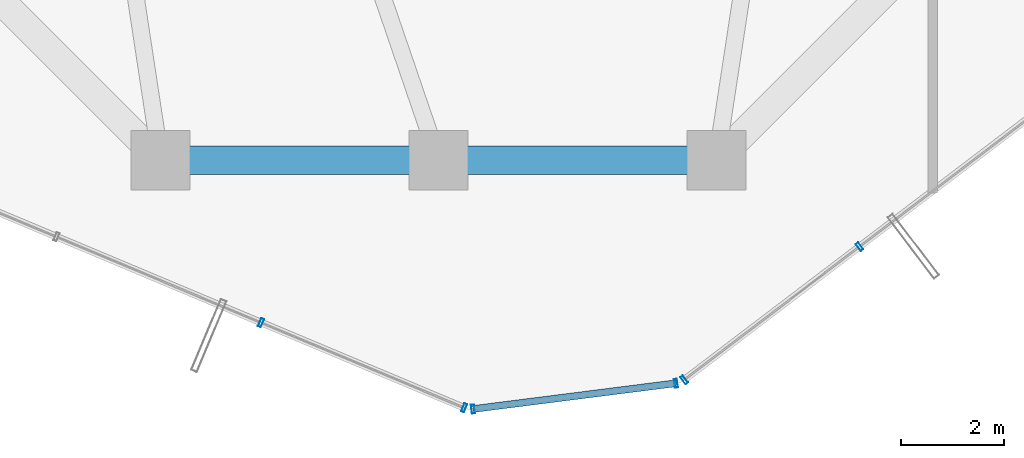
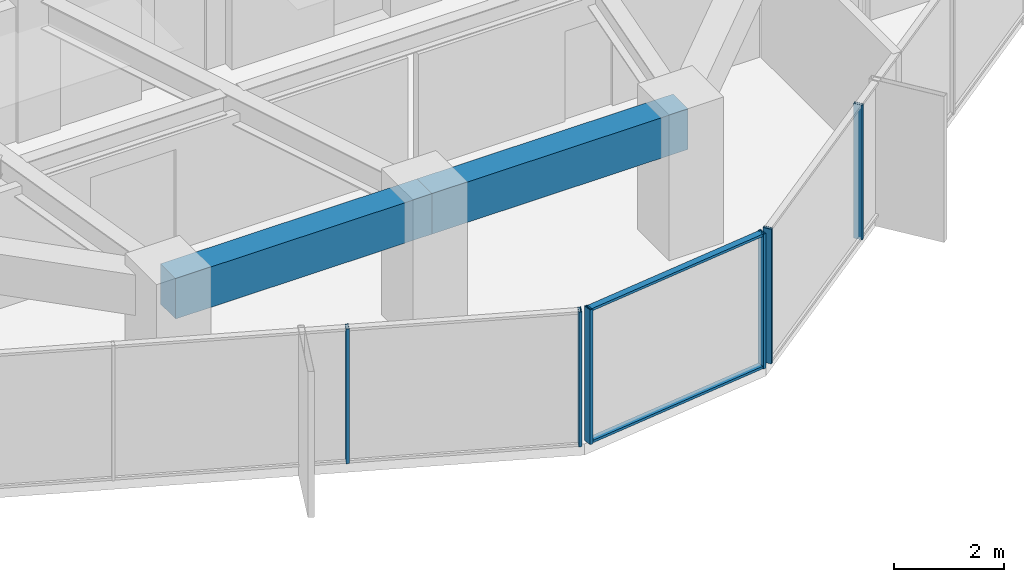
# One storey, part 6 of 33: 8 members, 2 beams, 3 elements without a shape of their own.
"""IFC4 building model written with IfcOpenShell, lengths in metres."""

from ifc_helpers import new_model, si_unit, direction, frame, origin, origin_2d, place, context, subcontext, project, spatial, rectangle, hollow_rectangle, extrude, source, transform, mapped, material, layer, layer_set, material_profile, profile_set, type_object, element, aggregate, save


model = new_model("IFC4")

# Units and contexts
model_context = context("Model", 3, precision=1e-05, world=origin(), true_north=direction((0.0, 1.0)))
body_context = subcontext(model_context, "Body", "Model", "MODEL_VIEW")
ifc_project = project(units=[si_unit("LENGTHUNIT", "METRE"), si_unit("AREAUNIT", "SQUARE_METRE"), si_unit("VOLUMEUNIT", "CUBIC_METRE"), si_unit("PLANEANGLEUNIT", "RADIAN"), si_unit("MASSUNIT", "GRAM", prefix="KILO")], contexts=[model_context])

# Site, building, storey
site_placement = place(None, origin())
site = spatial("IfcSite", under=ifc_project, at=site_placement, CompositionType="ELEMENT")
building_placement = place(site_placement, origin())
building = spatial("IfcBuilding", under=site, at=building_placement, Name="Veraguas Prism Commons", CompositionType="ELEMENT")
storey_placement = place(building_placement, frame((0.0, 0.0, 152.25)))
storey = spatial("IfcBuildingStorey", under=building, at=storey_placement, Name="L43", CompositionType="ELEMENT", Elevation=152.25)

# Beams
ifc_material_1 = material(Name="Concrete C50/60", Category="concrete")
ifc_material_profile_1 = material_profile(ifc_material_1, rectangle(XDim=0.550048828125, YDim=0.89990234375, at=origin_2d()), Name="RC550X900")
ifc_profile_set_1 = profile_set([ifc_material_profile_1], Name="Concrete C50/60")
beam_type = type_object("IfcBeamType", Name="Perimeter Spandrel Lower RC 550x900", PredefinedType="SPANDREL", material=ifc_profile_set_1)
for number, where, z_axis, x_axis, name in (
    (1, (18.60009765625, 7.800048828125, 2.550048828125), (1.0, 0.0, 0.0), (0.0, 1.0, 0.0), "Perimeter Spandrel Beam L43-SP10"),
    (2, (24.0, 7.800048828125, 2.550048828125), (1.0, 0.0, 0.0), (0.0, 1.0, 0.0), "Perimeter Spandrel Beam L43-SP11"),
):
    element("IfcBeam", number, at=place(storey_placement, frame(where, z_axis=z_axis, x_axis=x_axis)), inside=storey, type_object=beam_type, Name=name, PredefinedType="SPANDREL", context=body_context, shape_type="SweptSolid", body=[
        extrude(rectangle(XDim=0.550048828125, YDim=0.89990234375, at=origin_2d()), origin(), (0.0, 0.0, 1.0), 5.39990234375),
    ])

# Curtain wall, members
ifc_material_2 = material(Name="Anodised aluminium EN AW-6063 T6", Category="aluminium")
ifc_layer = layer(ifc_material_2, 0.169921875, Name="Unitised Flush Curtain Wall Zone 2", Category="aluminium")
ifc_layer_set = layer_set([ifc_layer], Name="Anodised aluminium EN AW-6063 T6")
curtain_wall_type = type_object("IfcCurtainWallType", Name="Unitised Flush Curtain Wall Zone 2", PredefinedType="NOTDEFINED", material=ifc_layer_set)
curtain_wall_1_placement = place(storey_placement, origin())
curtain_wall_1 = element("IfcCurtainWall", 3, at=curtain_wall_1_placement, inside=storey, type_object=curtain_wall_type, Name="Tower Facade Curtain Wall L43-F4", PredefinedType="NOTDEFINED")
ifc_material_profile_2 = material_profile(ifc_material_2, hollow_rectangle(XDim=0.06005859375, YDim=0.169921875, WallThickness=0.00390625, at=origin_2d()), Name="AL60X170X4")
ifc_profile_set_2 = profile_set([ifc_material_profile_2], Name="Anodised aluminium EN AW-6063 T6")
member_type_1 = type_object("IfcMemberType", Name="Curtain Wall Mullion Lower AL 60x170x4", PredefinedType="MULLION", material=ifc_profile_set_2)
shared_shape_1 = source(origin(), body_context, "Body", "SweptSolid", [
    extrude(hollow_rectangle(XDim=0.06005859375, YDim=0.169921875, WallThickness=0.00390625, at=origin_2d()), origin(), (0.0, 0.0, 1.0), 3.0),
])
member_1_placement = place(storey_placement, frame((20.552001953125, 4.644287109375, 0.0), z_axis=(0.0, 0.0, 1.0), x_axis=(0.922132113386, -0.38687512903, 0.0)))
member_1 = element("IfcMember", 4, at=member_1_placement, type_object=member_type_1, Name="CW-Z2 Mullion 4", PredefinedType="MULLION", context=body_context, shape_type="MappedRepresentation", body=[
    mapped(shared_shape_1, transform((0.0, 0.0, 0.0), scale=1.0)),
])
member_2_placement = place(storey_placement, frame((24.497314453125, 2.989013671875, 0.0), z_axis=(0.0, 0.0, 1.0), x_axis=(0.922132113386, -0.38687512903, 0.0)))
member_2 = element("IfcMember", 5, at=member_2_placement, type_object=member_type_1, Name="CW-Z2 Mullion 5", PredefinedType="MULLION", context=body_context, shape_type="MappedRepresentation", body=[
    mapped(shared_shape_1, transform((0.0, 0.0, 0.0), scale=1.0)),
])
aggregate(curtain_wall_1, [member_1, member_2])

curtain_wall_2_placement = place(storey_placement, origin())
curtain_wall_2 = element("IfcCurtainWall", 6, at=curtain_wall_2_placement, inside=storey, type_object=curtain_wall_type, Name="Tower Facade Curtain Wall L43-F5", PredefinedType="NOTDEFINED")
member_3_placement = place(storey_placement, frame((28.77197265625, 3.531982421875, 0.0), z_axis=(0.0, 0.0, 1.0), x_axis=(0.796104465545, 0.605159218668, 0.0)))
member_3 = element("IfcMember", 7, at=member_3_placement, type_object=member_type_1, Name="CW-Z2 Mullion 1", PredefinedType="MULLION", context=body_context, shape_type="MappedRepresentation", body=[
    mapped(shared_shape_1, transform((0.0, 0.0, 0.0), scale=1.0)),
])
member_4_placement = place(storey_placement, frame((32.17822265625, 6.121337890625, 0.0), z_axis=(0.0, 0.0, 1.0), x_axis=(0.796104465545, 0.605159218668, 0.0)))
member_4 = element("IfcMember", 8, at=member_4_placement, type_object=member_type_1, Name="CW-Z2 Mullion 2", PredefinedType="MULLION", context=body_context, shape_type="MappedRepresentation", body=[
    mapped(shared_shape_1, transform((0.0, 0.0, 0.0), scale=1.0)),
])
aggregate(curtain_wall_2, [member_3, member_4])

curtain_wall_3_placement = place(storey_placement, origin())
curtain_wall_3 = element("IfcCurtainWall", 9, at=curtain_wall_3_placement, inside=storey, type_object=curtain_wall_type, Name="Chamfer Curtain Wall L43-C5", PredefinedType="NOTDEFINED")
member_5_placement = place(storey_placement, frame((24.669677734375, 2.965576171875, 0.0), z_axis=(0.0, 0.0, 1.0), x_axis=(0.992029599707, 0.126005052697, 0.0)))
member_5 = element("IfcMember", 10, at=member_5_placement, type_object=member_type_1, Name="CW-Z2 Mullion 1", PredefinedType="MULLION", context=body_context, shape_type="MappedRepresentation", body=[
    mapped(shared_shape_1, transform((0.0, 0.0, 0.0), scale=1.0)),
])
member_6_placement = place(storey_placement, frame((28.611083984375, 3.46630859375, 0.0), z_axis=(0.0, 0.0, 1.0), x_axis=(0.992029599707, 0.126005052697, 0.0)))
member_6 = element("IfcMember", 11, at=member_6_placement, type_object=member_type_1, Name="CW-Z2 Mullion 2", PredefinedType="MULLION", context=body_context, shape_type="MappedRepresentation", body=[
    mapped(shared_shape_1, transform((0.0, 0.0, 0.0), scale=1.0)),
])
ifc_material_profile_3 = material_profile(ifc_material_2, hollow_rectangle(XDim=0.054931640625, YDim=0.135009765625, WallThickness=0.0029296875, at=origin_2d()), Name="AL55X135X3")
ifc_profile_set_3 = profile_set([ifc_material_profile_3], Name="Anodised aluminium EN AW-6063 T6")
member_type_2 = type_object("IfcMemberType", Name="Curtain Wall Transom Standard AL 55x135x3", PredefinedType="USERDEFINED", material=ifc_profile_set_3)
shared_shape_2 = source(origin(), body_context, "Body", "SweptSolid", [
    extrude(hollow_rectangle(XDim=0.054931640625, YDim=0.135009765625, WallThickness=0.0029296875, at=origin_2d()), origin(), (0.0, 0.0, 1.0), 3.97314453125),
])
member_7_placement = place(storey_placement, frame((24.669677734375, 2.965576171875, 0.027587890625), z_axis=(0.992026292104, 0.126031090505, 0.0), x_axis=(0.0, 0.0, 1.0)))
member_7 = element("IfcMember", 12, at=member_7_placement, type_object=member_type_2, Name="CW-Z2 Transom 1", ObjectType="TRANSOM", PredefinedType="USERDEFINED", context=body_context, shape_type="MappedRepresentation", body=[
    mapped(shared_shape_2, transform((0.0, 0.0, 0.0), scale=1.0)),
])
member_8_placement = place(storey_placement, frame((24.669677734375, 2.965576171875, 2.972412109375), z_axis=(0.992026292104, 0.126031090505, 0.0), x_axis=(0.0, 0.0, 1.0)))
member_8 = element("IfcMember", 13, at=member_8_placement, type_object=member_type_2, Name="CW-Z2 Transom 2", ObjectType="TRANSOM", PredefinedType="USERDEFINED", context=body_context, shape_type="MappedRepresentation", body=[
    mapped(shared_shape_2, transform((0.0, 0.0, 0.0), scale=1.0)),
])
aggregate(curtain_wall_3, [member_5, member_6, member_7, member_8])

save(model, "model.ifc")
